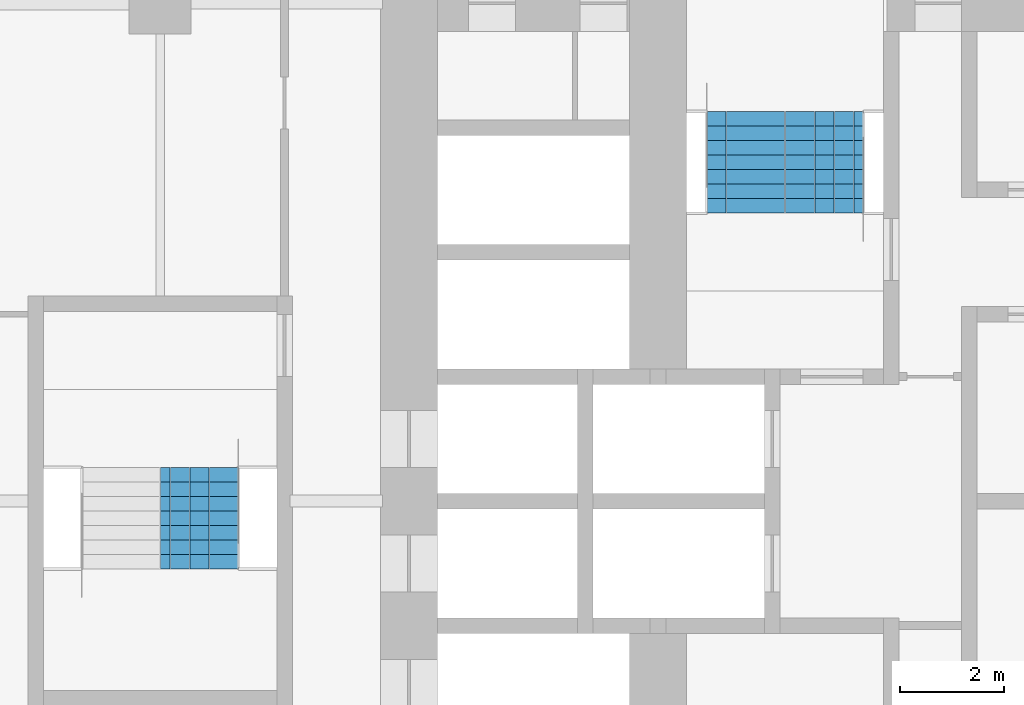
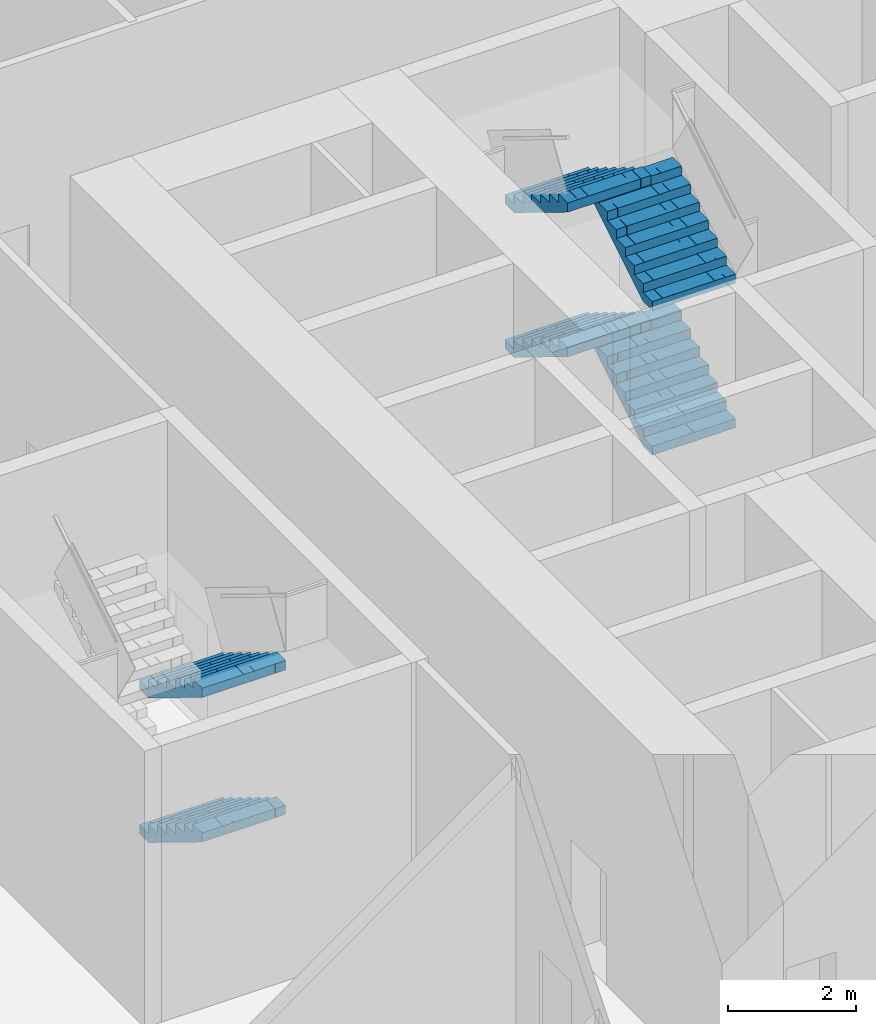
# One storey, part 24 of 27: 6 stair flights, 2 elements without a shape of their own.
"""IFC4 building model written with IfcOpenShell, lengths in metres."""

from ifc_helpers import new_model, si_unit, direction, frame, origin, place, context, subcontext, project, spatial, polyline, outline, extrude, material, type_object, element, aggregate, save


model = new_model("IFC4")

# Units and contexts
model_context = context("Model", 3, precision=1e-05, world=origin(), true_north=direction((0.0, 1.0)))
body_context = subcontext(model_context, "Body", "Model", "MODEL_VIEW")
ifc_project = project(units=[si_unit("LENGTHUNIT", "METRE"), si_unit("AREAUNIT", "SQUARE_METRE"), si_unit("VOLUMEUNIT", "CUBIC_METRE"), si_unit("PLANEANGLEUNIT", "RADIAN"), si_unit("MASSUNIT", "GRAM", prefix="KILO")], contexts=[model_context])

# Site, building, storey
site_placement = place(None, origin())
site = spatial("IfcSite", under=ifc_project, at=site_placement, CompositionType="ELEMENT")
building_placement = place(site_placement, origin())
building = spatial("IfcBuilding", under=site, at=building_placement, Name="Kolab Exchange Tower", CompositionType="ELEMENT")
storey_placement = place(building_placement, frame((0.0, 0.0, 49.89990234375)))
storey = spatial("IfcBuildingStorey", under=building, at=storey_placement, Name="L09", CompositionType="ELEMENT", Elevation=49.89990234375)

# Stair, stair flights
ifc_material = material(Name="Concrete C50/60", Category="concrete")
stair_type_1 = type_object("IfcStairType", Name="STAIR ST1 RISER 171.9", PredefinedType="DOUBLE_RETURN_STAIR", material=ifc_material)
stair_1_placement = place(storey_placement, origin())
stair_1 = element("IfcStair", 1, at=stair_1_placement, inside=storey, type_object=stair_type_1, Name="Stair 1", PredefinedType="DOUBLE_RETURN_STAIR")
stair_flight_type = type_object("IfcStairFlightType", Name="STAIR FLIGHT 1500 RISER 171.9", PredefinedType="STRAIGHT", material=ifc_material)
stair_flight_1_placement = place(storey_placement, frame((-6.389892578125, 5.550048828125, 0.0), z_axis=(0.0, 0.0, 1.0), x_axis=(0.0, 1.0, 0.0)))
stair_flight_1 = element("IfcStairFlight", 2, at=stair_flight_1_placement, type_object=stair_flight_type, Name="ST1 flight 1", NumberOfRisers=8, NumberOfTreads=7, PredefinedType="STRAIGHT", RiserHeight=0.171875, TreadLength=0.28, context=body_context, shape_type="SweptSolid", body=[
    extrude(outline(polyline([(0.0, 0.0), (0.0, 0.171875), (0.280029296875, 0.171875), (0.280029296875, 0.34375), (0.56005859375, 0.34375), (0.56005859375, 0.515625), (0.840087890625, 0.515625), (0.840087890625, 0.6875), (1.1201171875, 0.6875), (1.1201171875, 0.859375), (1.39990234375, 0.859375), (1.39990234375, 1.03125), (1.679931640625, 1.03125), (1.679931640625, 1.203125), (1.9599609375, 1.203125), (1.9599609375, 1.375), (1.9599609375, 1.02734375), (0.28662109375, 0.0), (0.0, 0.0)])), frame((0.0, 0.75, 0.0), z_axis=(0.0, -1.0, 0.0), x_axis=(1.0, 0.0, 0.0)), (0.0, 0.0, 1.0), 0.185791015625),
    extrude(outline(polyline([(0.0, 0.0), (0.0, 0.171875), (0.280029296875, 0.171875), (0.280029296875, 0.34375), (0.56005859375, 0.34375), (0.56005859375, 0.515625), (0.840087890625, 0.515625), (0.840087890625, 0.6875), (1.1201171875, 0.6875), (1.1201171875, 0.859375), (1.39990234375, 0.859375), (1.39990234375, 1.03125), (1.679931640625, 1.03125), (1.679931640625, 1.203125), (1.9599609375, 1.203125), (1.9599609375, 1.375), (1.9599609375, 1.02734375), (0.28662109375, 0.0), (0.0, 0.0)])), frame((0.0, 0.562255859375, 0.0), z_axis=(0.0, -1.0, 0.0), x_axis=(1.0, 0.0, 0.0)), (0.0, 0.0, 1.0), 0.185791015625),
    extrude(outline(polyline([(0.0, 0.0), (0.0, 0.171875), (0.280029296875, 0.171875), (0.280029296875, 0.34375), (0.56005859375, 0.34375), (0.56005859375, 0.515625), (0.840087890625, 0.515625), (0.840087890625, 0.6875), (1.1201171875, 0.6875), (1.1201171875, 0.859375), (1.39990234375, 0.859375), (1.39990234375, 1.03125), (1.679931640625, 1.03125), (1.679931640625, 1.203125), (1.9599609375, 1.203125), (1.9599609375, 1.375), (1.9599609375, 1.02734375), (0.28662109375, 0.0), (0.0, 0.0)])), frame((0.0, 0.37451171875, 0.0), z_axis=(0.0, -1.0, 0.0), x_axis=(1.0, 0.0, 0.0)), (0.0, 0.0, 1.0), 0.185791015625),
    extrude(outline(polyline([(0.0, 0.0), (0.0, 0.171875), (0.280029296875, 0.171875), (0.280029296875, 0.34375), (0.56005859375, 0.34375), (0.56005859375, 0.515625), (0.840087890625, 0.515625), (0.840087890625, 0.6875), (1.1201171875, 0.6875), (1.1201171875, 0.859375), (1.39990234375, 0.859375), (1.39990234375, 1.03125), (1.679931640625, 1.03125), (1.679931640625, 1.203125), (1.9599609375, 1.203125), (1.9599609375, 1.375), (1.9599609375, 1.02734375), (0.28662109375, 0.0), (0.0, 0.0)])), frame((0.0, 0.186767578125, 0.0), z_axis=(0.0, -1.0, 0.0), x_axis=(1.0, 0.0, 0.0)), (0.0, 0.0, 1.0), 0.185791015625),
    extrude(outline(polyline([(0.0, 0.0), (0.0, 0.171875), (0.280029296875, 0.171875), (0.280029296875, 0.34375), (0.56005859375, 0.34375), (0.56005859375, 0.515625), (0.840087890625, 0.515625), (0.840087890625, 0.6875), (1.1201171875, 0.6875), (1.1201171875, 0.859375), (1.39990234375, 0.859375), (1.39990234375, 1.03125), (1.679931640625, 1.03125), (1.679931640625, 1.203125), (1.9599609375, 1.203125), (1.9599609375, 1.375), (1.9599609375, 1.02734375), (0.28662109375, 0.0), (0.0, 0.0)])), frame((0.0, -0.0009765625, 0.0), z_axis=(0.0, -1.0, 0.0), x_axis=(1.0, 0.0, 0.0)), (0.0, 0.0, 1.0), 0.185791015625),
    extrude(outline(polyline([(0.0, 0.0), (0.0, 0.171875), (0.280029296875, 0.171875), (0.280029296875, 0.34375), (0.56005859375, 0.34375), (0.56005859375, 0.515625), (0.840087890625, 0.515625), (0.840087890625, 0.6875), (1.1201171875, 0.6875), (1.1201171875, 0.859375), (1.39990234375, 0.859375), (1.39990234375, 1.03125), (1.679931640625, 1.03125), (1.679931640625, 1.203125), (1.9599609375, 1.203125), (1.9599609375, 1.375), (1.9599609375, 1.02734375), (0.28662109375, 0.0), (0.0, 0.0)])), frame((0.0, -0.188720703125, 0.0), z_axis=(0.0, -1.0, 0.0), x_axis=(1.0, 0.0, 0.0)), (0.0, 0.0, 1.0), 0.185791015625),
    extrude(outline(polyline([(0.0, 0.0), (0.0, 0.171875), (0.280029296875, 0.171875), (0.280029296875, 0.34375), (0.56005859375, 0.34375), (0.56005859375, 0.515625), (0.840087890625, 0.515625), (0.840087890625, 0.6875), (1.1201171875, 0.6875), (1.1201171875, 0.859375), (1.39990234375, 0.859375), (1.39990234375, 1.03125), (1.679931640625, 1.03125), (1.679931640625, 1.203125), (1.9599609375, 1.203125), (1.9599609375, 1.375), (1.9599609375, 1.02734375), (0.28662109375, 0.0), (0.0, 0.0)])), frame((0.0, -0.37646484375, 0.0), z_axis=(0.0, -1.0, 0.0), x_axis=(1.0, 0.0, 0.0)), (0.0, 0.0, 1.0), 0.185791015625),
    extrude(outline(polyline([(0.0, 0.0), (0.0, 0.171875), (0.280029296875, 0.171875), (0.280029296875, 0.34375), (0.56005859375, 0.34375), (0.56005859375, 0.515625), (0.840087890625, 0.515625), (0.840087890625, 0.6875), (1.1201171875, 0.6875), (1.1201171875, 0.859375), (1.39990234375, 0.859375), (1.39990234375, 1.03125), (1.679931640625, 1.03125), (1.679931640625, 1.203125), (1.9599609375, 1.203125), (1.9599609375, 1.375), (1.9599609375, 1.02734375), (0.28662109375, 0.0), (0.0, 0.0)])), frame((0.0, -0.564208984375, 0.0), z_axis=(0.0, -1.0, 0.0), x_axis=(1.0, 0.0, 0.0)), (0.0, 0.0, 1.0), 0.185791015625),
])
stair_flight_2_placement = place(storey_placement, frame((-7.909912109375, 7.510009765625, 1.375), z_axis=(0.0, 0.0, 1.0), x_axis=(0.0, -1.0, 0.0)))
stair_flight_2 = element("IfcStairFlight", 3, at=stair_flight_2_placement, type_object=stair_flight_type, Name="ST1 flight 2", NumberOfRisers=8, NumberOfTreads=7, PredefinedType="STRAIGHT", RiserHeight=0.171875, TreadLength=0.28, context=body_context, shape_type="SweptSolid", body=[
    extrude(outline(polyline([(0.0, 0.0), (0.0, 0.171875), (0.280029296875, 0.171875), (0.280029296875, 0.34375), (0.56005859375, 0.34375), (0.56005859375, 0.515625), (0.840087890625, 0.515625), (0.840087890625, 0.6875), (1.1201171875, 0.6875), (1.1201171875, 0.859375), (1.39990234375, 0.859375), (1.39990234375, 1.03125), (1.679931640625, 1.03125), (1.679931640625, 1.203125), (1.9599609375, 1.203125), (1.9599609375, 1.375), (1.9599609375, 1.02734375), (0.28662109375, 0.0), (0.0, 0.0)])), frame((0.0, 0.75, 0.0), z_axis=(0.0, -1.0, 0.0), x_axis=(1.0, 0.0, 0.0)), (0.0, 0.0, 1.0), 0.185791015625),
    extrude(outline(polyline([(0.0, 0.0), (0.0, 0.171875), (0.280029296875, 0.171875), (0.280029296875, 0.34375), (0.56005859375, 0.34375), (0.56005859375, 0.515625), (0.840087890625, 0.515625), (0.840087890625, 0.6875), (1.1201171875, 0.6875), (1.1201171875, 0.859375), (1.39990234375, 0.859375), (1.39990234375, 1.03125), (1.679931640625, 1.03125), (1.679931640625, 1.203125), (1.9599609375, 1.203125), (1.9599609375, 1.375), (1.9599609375, 1.02734375), (0.28662109375, 0.0), (0.0, 0.0)])), frame((0.0, 0.562255859375, 0.0), z_axis=(0.0, -1.0, 0.0), x_axis=(1.0, 0.0, 0.0)), (0.0, 0.0, 1.0), 0.185791015625),
    extrude(outline(polyline([(0.0, 0.0), (0.0, 0.171875), (0.280029296875, 0.171875), (0.280029296875, 0.34375), (0.56005859375, 0.34375), (0.56005859375, 0.515625), (0.840087890625, 0.515625), (0.840087890625, 0.6875), (1.1201171875, 0.6875), (1.1201171875, 0.859375), (1.39990234375, 0.859375), (1.39990234375, 1.03125), (1.679931640625, 1.03125), (1.679931640625, 1.203125), (1.9599609375, 1.203125), (1.9599609375, 1.375), (1.9599609375, 1.02734375), (0.28662109375, 0.0), (0.0, 0.0)])), frame((0.0, 0.37451171875, 0.0), z_axis=(0.0, -1.0, 0.0), x_axis=(1.0, 0.0, 0.0)), (0.0, 0.0, 1.0), 0.185791015625),
    extrude(outline(polyline([(0.0, 0.0), (0.0, 0.171875), (0.280029296875, 0.171875), (0.280029296875, 0.34375), (0.56005859375, 0.34375), (0.56005859375, 0.515625), (0.840087890625, 0.515625), (0.840087890625, 0.6875), (1.1201171875, 0.6875), (1.1201171875, 0.859375), (1.39990234375, 0.859375), (1.39990234375, 1.03125), (1.679931640625, 1.03125), (1.679931640625, 1.203125), (1.9599609375, 1.203125), (1.9599609375, 1.375), (1.9599609375, 1.02734375), (0.28662109375, 0.0), (0.0, 0.0)])), frame((0.0, 0.186767578125, 0.0), z_axis=(0.0, -1.0, 0.0), x_axis=(1.0, 0.0, 0.0)), (0.0, 0.0, 1.0), 0.185791015625),
    extrude(outline(polyline([(0.0, 0.0), (0.0, 0.171875), (0.280029296875, 0.171875), (0.280029296875, 0.34375), (0.56005859375, 0.34375), (0.56005859375, 0.515625), (0.840087890625, 0.515625), (0.840087890625, 0.6875), (1.1201171875, 0.6875), (1.1201171875, 0.859375), (1.39990234375, 0.859375), (1.39990234375, 1.03125), (1.679931640625, 1.03125), (1.679931640625, 1.203125), (1.9599609375, 1.203125), (1.9599609375, 1.375), (1.9599609375, 1.02734375), (0.28662109375, 0.0), (0.0, 0.0)])), frame((0.0, -0.0009765625, 0.0), z_axis=(0.0, -1.0, 0.0), x_axis=(1.0, 0.0, 0.0)), (0.0, 0.0, 1.0), 0.185791015625),
    extrude(outline(polyline([(0.0, 0.0), (0.0, 0.171875), (0.280029296875, 0.171875), (0.280029296875, 0.34375), (0.56005859375, 0.34375), (0.56005859375, 0.515625), (0.840087890625, 0.515625), (0.840087890625, 0.6875), (1.1201171875, 0.6875), (1.1201171875, 0.859375), (1.39990234375, 0.859375), (1.39990234375, 1.03125), (1.679931640625, 1.03125), (1.679931640625, 1.203125), (1.9599609375, 1.203125), (1.9599609375, 1.375), (1.9599609375, 1.02734375), (0.28662109375, 0.0), (0.0, 0.0)])), frame((0.0, -0.188720703125, 0.0), z_axis=(0.0, -1.0, 0.0), x_axis=(1.0, 0.0, 0.0)), (0.0, 0.0, 1.0), 0.185791015625),
    extrude(outline(polyline([(0.0, 0.0), (0.0, 0.171875), (0.280029296875, 0.171875), (0.280029296875, 0.34375), (0.56005859375, 0.34375), (0.56005859375, 0.515625), (0.840087890625, 0.515625), (0.840087890625, 0.6875), (1.1201171875, 0.6875), (1.1201171875, 0.859375), (1.39990234375, 0.859375), (1.39990234375, 1.03125), (1.679931640625, 1.03125), (1.679931640625, 1.203125), (1.9599609375, 1.203125), (1.9599609375, 1.375), (1.9599609375, 1.02734375), (0.28662109375, 0.0), (0.0, 0.0)])), frame((0.0, -0.37646484375, 0.0), z_axis=(0.0, -1.0, 0.0), x_axis=(1.0, 0.0, 0.0)), (0.0, 0.0, 1.0), 0.185791015625),
    extrude(outline(polyline([(0.0, 0.0), (0.0, 0.171875), (0.280029296875, 0.171875), (0.280029296875, 0.34375), (0.56005859375, 0.34375), (0.56005859375, 0.515625), (0.840087890625, 0.515625), (0.840087890625, 0.6875), (1.1201171875, 0.6875), (1.1201171875, 0.859375), (1.39990234375, 0.859375), (1.39990234375, 1.03125), (1.679931640625, 1.03125), (1.679931640625, 1.203125), (1.9599609375, 1.203125), (1.9599609375, 1.375), (1.9599609375, 1.02734375), (0.28662109375, 0.0), (0.0, 0.0)])), frame((0.0, -0.564208984375, 0.0), z_axis=(0.0, -1.0, 0.0), x_axis=(1.0, 0.0, 0.0)), (0.0, 0.0, 1.0), 0.185791015625),
])
stair_flight_3_placement = place(storey_placement, frame((-6.389892578125, 5.550048828125, 2.75), z_axis=(0.0, 0.0, 1.0), x_axis=(0.0, 1.0, 0.0)))
stair_flight_3 = element("IfcStairFlight", 4, at=stair_flight_3_placement, type_object=stair_flight_type, Name="ST1 flight 3", NumberOfRisers=8, NumberOfTreads=7, PredefinedType="STRAIGHT", RiserHeight=0.171875, TreadLength=0.28, context=body_context, shape_type="SweptSolid", body=[
    extrude(outline(polyline([(0.0, 0.0), (0.0, 0.171875), (0.280029296875, 0.171875), (0.280029296875, 0.34375), (0.56005859375, 0.34375), (0.56005859375, 0.515625), (0.840087890625, 0.515625), (0.840087890625, 0.6875), (1.1201171875, 0.6875), (1.1201171875, 0.859375), (1.39990234375, 0.859375), (1.39990234375, 1.03125), (1.679931640625, 1.03125), (1.679931640625, 1.203125), (1.9599609375, 1.203125), (1.9599609375, 1.375), (1.9599609375, 1.02734375), (0.28662109375, 0.0), (0.0, 0.0)])), frame((0.0, 0.75, 0.0), z_axis=(0.0, -1.0, 0.0), x_axis=(1.0, 0.0, 0.0)), (0.0, 0.0, 1.0), 0.185791015625),
    extrude(outline(polyline([(0.0, 0.0), (0.0, 0.171875), (0.280029296875, 0.171875), (0.280029296875, 0.34375), (0.56005859375, 0.34375), (0.56005859375, 0.515625), (0.840087890625, 0.515625), (0.840087890625, 0.6875), (1.1201171875, 0.6875), (1.1201171875, 0.859375), (1.39990234375, 0.859375), (1.39990234375, 1.03125), (1.679931640625, 1.03125), (1.679931640625, 1.203125), (1.9599609375, 1.203125), (1.9599609375, 1.375), (1.9599609375, 1.02734375), (0.28662109375, 0.0), (0.0, 0.0)])), frame((0.0, 0.562255859375, 0.0), z_axis=(0.0, -1.0, 0.0), x_axis=(1.0, 0.0, 0.0)), (0.0, 0.0, 1.0), 0.185791015625),
    extrude(outline(polyline([(0.0, 0.0), (0.0, 0.171875), (0.280029296875, 0.171875), (0.280029296875, 0.34375), (0.56005859375, 0.34375), (0.56005859375, 0.515625), (0.840087890625, 0.515625), (0.840087890625, 0.6875), (1.1201171875, 0.6875), (1.1201171875, 0.859375), (1.39990234375, 0.859375), (1.39990234375, 1.03125), (1.679931640625, 1.03125), (1.679931640625, 1.203125), (1.9599609375, 1.203125), (1.9599609375, 1.375), (1.9599609375, 1.02734375), (0.28662109375, 0.0), (0.0, 0.0)])), frame((0.0, 0.37451171875, 0.0), z_axis=(0.0, -1.0, 0.0), x_axis=(1.0, 0.0, 0.0)), (0.0, 0.0, 1.0), 0.185791015625),
    extrude(outline(polyline([(0.0, 0.0), (0.0, 0.171875), (0.280029296875, 0.171875), (0.280029296875, 0.34375), (0.56005859375, 0.34375), (0.56005859375, 0.515625), (0.840087890625, 0.515625), (0.840087890625, 0.6875), (1.1201171875, 0.6875), (1.1201171875, 0.859375), (1.39990234375, 0.859375), (1.39990234375, 1.03125), (1.679931640625, 1.03125), (1.679931640625, 1.203125), (1.9599609375, 1.203125), (1.9599609375, 1.375), (1.9599609375, 1.02734375), (0.28662109375, 0.0), (0.0, 0.0)])), frame((0.0, 0.186767578125, 0.0), z_axis=(0.0, -1.0, 0.0), x_axis=(1.0, 0.0, 0.0)), (0.0, 0.0, 1.0), 0.185791015625),
    extrude(outline(polyline([(0.0, 0.0), (0.0, 0.171875), (0.280029296875, 0.171875), (0.280029296875, 0.34375), (0.56005859375, 0.34375), (0.56005859375, 0.515625), (0.840087890625, 0.515625), (0.840087890625, 0.6875), (1.1201171875, 0.6875), (1.1201171875, 0.859375), (1.39990234375, 0.859375), (1.39990234375, 1.03125), (1.679931640625, 1.03125), (1.679931640625, 1.203125), (1.9599609375, 1.203125), (1.9599609375, 1.375), (1.9599609375, 1.02734375), (0.28662109375, 0.0), (0.0, 0.0)])), frame((0.0, -0.0009765625, 0.0), z_axis=(0.0, -1.0, 0.0), x_axis=(1.0, 0.0, 0.0)), (0.0, 0.0, 1.0), 0.185791015625),
    extrude(outline(polyline([(0.0, 0.0), (0.0, 0.171875), (0.280029296875, 0.171875), (0.280029296875, 0.34375), (0.56005859375, 0.34375), (0.56005859375, 0.515625), (0.840087890625, 0.515625), (0.840087890625, 0.6875), (1.1201171875, 0.6875), (1.1201171875, 0.859375), (1.39990234375, 0.859375), (1.39990234375, 1.03125), (1.679931640625, 1.03125), (1.679931640625, 1.203125), (1.9599609375, 1.203125), (1.9599609375, 1.375), (1.9599609375, 1.02734375), (0.28662109375, 0.0), (0.0, 0.0)])), frame((0.0, -0.188720703125, 0.0), z_axis=(0.0, -1.0, 0.0), x_axis=(1.0, 0.0, 0.0)), (0.0, 0.0, 1.0), 0.185791015625),
    extrude(outline(polyline([(0.0, 0.0), (0.0, 0.171875), (0.280029296875, 0.171875), (0.280029296875, 0.34375), (0.56005859375, 0.34375), (0.56005859375, 0.515625), (0.840087890625, 0.515625), (0.840087890625, 0.6875), (1.1201171875, 0.6875), (1.1201171875, 0.859375), (1.39990234375, 0.859375), (1.39990234375, 1.03125), (1.679931640625, 1.03125), (1.679931640625, 1.203125), (1.9599609375, 1.203125), (1.9599609375, 1.375), (1.9599609375, 1.02734375), (0.28662109375, 0.0), (0.0, 0.0)])), frame((0.0, -0.37646484375, 0.0), z_axis=(0.0, -1.0, 0.0), x_axis=(1.0, 0.0, 0.0)), (0.0, 0.0, 1.0), 0.185791015625),
    extrude(outline(polyline([(0.0, 0.0), (0.0, 0.171875), (0.280029296875, 0.171875), (0.280029296875, 0.34375), (0.56005859375, 0.34375), (0.56005859375, 0.515625), (0.840087890625, 0.515625), (0.840087890625, 0.6875), (1.1201171875, 0.6875), (1.1201171875, 0.859375), (1.39990234375, 0.859375), (1.39990234375, 1.03125), (1.679931640625, 1.03125), (1.679931640625, 1.203125), (1.9599609375, 1.203125), (1.9599609375, 1.375), (1.9599609375, 1.02734375), (0.28662109375, 0.0), (0.0, 0.0)])), frame((0.0, -0.564208984375, 0.0), z_axis=(0.0, -1.0, 0.0), x_axis=(1.0, 0.0, 0.0)), (0.0, 0.0, 1.0), 0.185791015625),
])
stair_flight_4_placement = place(storey_placement, frame((-7.909912109375, 7.510009765625, 4.125), z_axis=(0.0, 0.0, 1.0), x_axis=(0.0, -1.0, 0.0)))
stair_flight_4 = element("IfcStairFlight", 5, at=stair_flight_4_placement, type_object=stair_flight_type, Name="ST1 flight 4", NumberOfRisers=8, NumberOfTreads=7, PredefinedType="STRAIGHT", RiserHeight=0.171875, TreadLength=0.28, context=body_context, shape_type="SweptSolid", body=[
    extrude(outline(polyline([(0.0, 0.0), (0.0, 0.171875), (0.280029296875, 0.171875), (0.280029296875, 0.34375), (0.56005859375, 0.34375), (0.56005859375, 0.515625), (0.840087890625, 0.515625), (0.840087890625, 0.6875), (1.1201171875, 0.6875), (1.1201171875, 0.859375), (1.39990234375, 0.859375), (1.39990234375, 1.03125), (1.679931640625, 1.03125), (1.679931640625, 1.203125), (1.9599609375, 1.203125), (1.9599609375, 1.375), (1.9599609375, 1.02734375), (0.28662109375, 0.0), (0.0, 0.0)])), frame((0.0, 0.75, 0.0), z_axis=(0.0, -1.0, 0.0), x_axis=(1.0, 0.0, 0.0)), (0.0, 0.0, 1.0), 0.185791015625),
    extrude(outline(polyline([(0.0, 0.0), (0.0, 0.171875), (0.280029296875, 0.171875), (0.280029296875, 0.34375), (0.56005859375, 0.34375), (0.56005859375, 0.515625), (0.840087890625, 0.515625), (0.840087890625, 0.6875), (1.1201171875, 0.6875), (1.1201171875, 0.859375), (1.39990234375, 0.859375), (1.39990234375, 1.03125), (1.679931640625, 1.03125), (1.679931640625, 1.203125), (1.9599609375, 1.203125), (1.9599609375, 1.375), (1.9599609375, 1.02734375), (0.28662109375, 0.0), (0.0, 0.0)])), frame((0.0, 0.562255859375, 0.0), z_axis=(0.0, -1.0, 0.0), x_axis=(1.0, 0.0, 0.0)), (0.0, 0.0, 1.0), 0.185791015625),
    extrude(outline(polyline([(0.0, 0.0), (0.0, 0.171875), (0.280029296875, 0.171875), (0.280029296875, 0.34375), (0.56005859375, 0.34375), (0.56005859375, 0.515625), (0.840087890625, 0.515625), (0.840087890625, 0.6875), (1.1201171875, 0.6875), (1.1201171875, 0.859375), (1.39990234375, 0.859375), (1.39990234375, 1.03125), (1.679931640625, 1.03125), (1.679931640625, 1.203125), (1.9599609375, 1.203125), (1.9599609375, 1.375), (1.9599609375, 1.02734375), (0.28662109375, 0.0), (0.0, 0.0)])), frame((0.0, 0.37451171875, 0.0), z_axis=(0.0, -1.0, 0.0), x_axis=(1.0, 0.0, 0.0)), (0.0, 0.0, 1.0), 0.185791015625),
    extrude(outline(polyline([(0.0, 0.0), (0.0, 0.171875), (0.280029296875, 0.171875), (0.280029296875, 0.34375), (0.56005859375, 0.34375), (0.56005859375, 0.515625), (0.840087890625, 0.515625), (0.840087890625, 0.6875), (1.1201171875, 0.6875), (1.1201171875, 0.859375), (1.39990234375, 0.859375), (1.39990234375, 1.03125), (1.679931640625, 1.03125), (1.679931640625, 1.203125), (1.9599609375, 1.203125), (1.9599609375, 1.375), (1.9599609375, 1.02734375), (0.28662109375, 0.0), (0.0, 0.0)])), frame((0.0, 0.186767578125, 0.0), z_axis=(0.0, -1.0, 0.0), x_axis=(1.0, 0.0, 0.0)), (0.0, 0.0, 1.0), 0.185791015625),
    extrude(outline(polyline([(0.0, 0.0), (0.0, 0.171875), (0.280029296875, 0.171875), (0.280029296875, 0.34375), (0.56005859375, 0.34375), (0.56005859375, 0.515625), (0.840087890625, 0.515625), (0.840087890625, 0.6875), (1.1201171875, 0.6875), (1.1201171875, 0.859375), (1.39990234375, 0.859375), (1.39990234375, 1.03125), (1.679931640625, 1.03125), (1.679931640625, 1.203125), (1.9599609375, 1.203125), (1.9599609375, 1.375), (1.9599609375, 1.02734375), (0.28662109375, 0.0), (0.0, 0.0)])), frame((0.0, -0.0009765625, 0.0), z_axis=(0.0, -1.0, 0.0), x_axis=(1.0, 0.0, 0.0)), (0.0, 0.0, 1.0), 0.185791015625),
    extrude(outline(polyline([(0.0, 0.0), (0.0, 0.171875), (0.280029296875, 0.171875), (0.280029296875, 0.34375), (0.56005859375, 0.34375), (0.56005859375, 0.515625), (0.840087890625, 0.515625), (0.840087890625, 0.6875), (1.1201171875, 0.6875), (1.1201171875, 0.859375), (1.39990234375, 0.859375), (1.39990234375, 1.03125), (1.679931640625, 1.03125), (1.679931640625, 1.203125), (1.9599609375, 1.203125), (1.9599609375, 1.375), (1.9599609375, 1.02734375), (0.28662109375, 0.0), (0.0, 0.0)])), frame((0.0, -0.188720703125, 0.0), z_axis=(0.0, -1.0, 0.0), x_axis=(1.0, 0.0, 0.0)), (0.0, 0.0, 1.0), 0.185791015625),
    extrude(outline(polyline([(0.0, 0.0), (0.0, 0.171875), (0.280029296875, 0.171875), (0.280029296875, 0.34375), (0.56005859375, 0.34375), (0.56005859375, 0.515625), (0.840087890625, 0.515625), (0.840087890625, 0.6875), (1.1201171875, 0.6875), (1.1201171875, 0.859375), (1.39990234375, 0.859375), (1.39990234375, 1.03125), (1.679931640625, 1.03125), (1.679931640625, 1.203125), (1.9599609375, 1.203125), (1.9599609375, 1.375), (1.9599609375, 1.02734375), (0.28662109375, 0.0), (0.0, 0.0)])), frame((0.0, -0.37646484375, 0.0), z_axis=(0.0, -1.0, 0.0), x_axis=(1.0, 0.0, 0.0)), (0.0, 0.0, 1.0), 0.185791015625),
    extrude(outline(polyline([(0.0, 0.0), (0.0, 0.171875), (0.280029296875, 0.171875), (0.280029296875, 0.34375), (0.56005859375, 0.34375), (0.56005859375, 0.515625), (0.840087890625, 0.515625), (0.840087890625, 0.6875), (1.1201171875, 0.6875), (1.1201171875, 0.859375), (1.39990234375, 0.859375), (1.39990234375, 1.03125), (1.679931640625, 1.03125), (1.679931640625, 1.203125), (1.9599609375, 1.203125), (1.9599609375, 1.375), (1.9599609375, 1.02734375), (0.28662109375, 0.0), (0.0, 0.0)])), frame((0.0, -0.564208984375, 0.0), z_axis=(0.0, -1.0, 0.0), x_axis=(1.0, 0.0, 0.0)), (0.0, 0.0, 1.0), 0.185791015625),
])
aggregate(stair_1, [stair_flight_1, stair_flight_2, stair_flight_3, stair_flight_4])

stair_type_2 = type_object("IfcStairType", Name="STAIR ST5 RISER 171.9", PredefinedType="DOUBLE_RETURN_STAIR", material=ifc_material)
stair_2_placement = place(storey_placement, origin())
stair_2 = element("IfcStair", 6, at=stair_2_placement, inside=storey, type_object=stair_type_2, Name="Stair 5", PredefinedType="DOUBLE_RETURN_STAIR")
stair_flight_5_placement = place(storey_placement, frame((-18.43994140625, 0.64990234375, 0.0), z_axis=(0.0, 0.0, 1.0), x_axis=(0.0, -1.0, 0.0)))
stair_flight_5 = element("IfcStairFlight", 7, at=stair_flight_5_placement, type_object=stair_flight_type, Name="ST5 flight 1", NumberOfRisers=8, NumberOfTreads=7, PredefinedType="STRAIGHT", RiserHeight=0.171875, TreadLength=0.28, context=body_context, shape_type="SweptSolid", body=[
    extrude(outline(polyline([(0.0, 0.0), (0.0, 0.171875), (0.280029296875, 0.171875), (0.280029296875, 0.34375), (0.56005859375, 0.34375), (0.56005859375, 0.515625), (0.840087890625, 0.515625), (0.840087890625, 0.6875), (1.1201171875, 0.6875), (1.1201171875, 0.859375), (1.39990234375, 0.859375), (1.39990234375, 1.03125), (1.679931640625, 1.03125), (1.679931640625, 1.203125), (1.9599609375, 1.203125), (1.9599609375, 1.375), (1.9599609375, 1.02734375), (0.28662109375, 0.0), (0.0, 0.0)])), frame((0.0, 0.75, 0.0), z_axis=(0.0, -1.0, 0.0), x_axis=(1.0, 0.0, 0.0)), (0.0, 0.0, 1.0), 0.185791015625),
    extrude(outline(polyline([(0.0, 0.0), (0.0, 0.171875), (0.280029296875, 0.171875), (0.280029296875, 0.34375), (0.56005859375, 0.34375), (0.56005859375, 0.515625), (0.840087890625, 0.515625), (0.840087890625, 0.6875), (1.1201171875, 0.6875), (1.1201171875, 0.859375), (1.39990234375, 0.859375), (1.39990234375, 1.03125), (1.679931640625, 1.03125), (1.679931640625, 1.203125), (1.9599609375, 1.203125), (1.9599609375, 1.375), (1.9599609375, 1.02734375), (0.28662109375, 0.0), (0.0, 0.0)])), frame((0.0, 0.562255859375, 0.0), z_axis=(0.0, -1.0, 0.0), x_axis=(1.0, 0.0, 0.0)), (0.0, 0.0, 1.0), 0.185791015625),
    extrude(outline(polyline([(0.0, 0.0), (0.0, 0.171875), (0.280029296875, 0.171875), (0.280029296875, 0.34375), (0.56005859375, 0.34375), (0.56005859375, 0.515625), (0.840087890625, 0.515625), (0.840087890625, 0.6875), (1.1201171875, 0.6875), (1.1201171875, 0.859375), (1.39990234375, 0.859375), (1.39990234375, 1.03125), (1.679931640625, 1.03125), (1.679931640625, 1.203125), (1.9599609375, 1.203125), (1.9599609375, 1.375), (1.9599609375, 1.02734375), (0.28662109375, 0.0), (0.0, 0.0)])), frame((0.0, 0.37451171875, 0.0), z_axis=(0.0, -1.0, 0.0), x_axis=(1.0, 0.0, 0.0)), (0.0, 0.0, 1.0), 0.185791015625),
    extrude(outline(polyline([(0.0, 0.0), (0.0, 0.171875), (0.280029296875, 0.171875), (0.280029296875, 0.34375), (0.56005859375, 0.34375), (0.56005859375, 0.515625), (0.840087890625, 0.515625), (0.840087890625, 0.6875), (1.1201171875, 0.6875), (1.1201171875, 0.859375), (1.39990234375, 0.859375), (1.39990234375, 1.03125), (1.679931640625, 1.03125), (1.679931640625, 1.203125), (1.9599609375, 1.203125), (1.9599609375, 1.375), (1.9599609375, 1.02734375), (0.28662109375, 0.0), (0.0, 0.0)])), frame((0.0, 0.186767578125, 0.0), z_axis=(0.0, -1.0, 0.0), x_axis=(1.0, 0.0, 0.0)), (0.0, 0.0, 1.0), 0.185791015625),
    extrude(outline(polyline([(0.0, 0.0), (0.0, 0.171875), (0.280029296875, 0.171875), (0.280029296875, 0.34375), (0.56005859375, 0.34375), (0.56005859375, 0.515625), (0.840087890625, 0.515625), (0.840087890625, 0.6875), (1.1201171875, 0.6875), (1.1201171875, 0.859375), (1.39990234375, 0.859375), (1.39990234375, 1.03125), (1.679931640625, 1.03125), (1.679931640625, 1.203125), (1.9599609375, 1.203125), (1.9599609375, 1.375), (1.9599609375, 1.02734375), (0.28662109375, 0.0), (0.0, 0.0)])), frame((0.0, -0.0009765625, 0.0), z_axis=(0.0, -1.0, 0.0), x_axis=(1.0, 0.0, 0.0)), (0.0, 0.0, 1.0), 0.185791015625),
    extrude(outline(polyline([(0.0, 0.0), (0.0, 0.171875), (0.280029296875, 0.171875), (0.280029296875, 0.34375), (0.56005859375, 0.34375), (0.56005859375, 0.515625), (0.840087890625, 0.515625), (0.840087890625, 0.6875), (1.1201171875, 0.6875), (1.1201171875, 0.859375), (1.39990234375, 0.859375), (1.39990234375, 1.03125), (1.679931640625, 1.03125), (1.679931640625, 1.203125), (1.9599609375, 1.203125), (1.9599609375, 1.375), (1.9599609375, 1.02734375), (0.28662109375, 0.0), (0.0, 0.0)])), frame((0.0, -0.188720703125, 0.0), z_axis=(0.0, -1.0, 0.0), x_axis=(1.0, 0.0, 0.0)), (0.0, 0.0, 1.0), 0.185791015625),
    extrude(outline(polyline([(0.0, 0.0), (0.0, 0.171875), (0.280029296875, 0.171875), (0.280029296875, 0.34375), (0.56005859375, 0.34375), (0.56005859375, 0.515625), (0.840087890625, 0.515625), (0.840087890625, 0.6875), (1.1201171875, 0.6875), (1.1201171875, 0.859375), (1.39990234375, 0.859375), (1.39990234375, 1.03125), (1.679931640625, 1.03125), (1.679931640625, 1.203125), (1.9599609375, 1.203125), (1.9599609375, 1.375), (1.9599609375, 1.02734375), (0.28662109375, 0.0), (0.0, 0.0)])), frame((0.0, -0.37646484375, 0.0), z_axis=(0.0, -1.0, 0.0), x_axis=(1.0, 0.0, 0.0)), (0.0, 0.0, 1.0), 0.185791015625),
    extrude(outline(polyline([(0.0, 0.0), (0.0, 0.171875), (0.280029296875, 0.171875), (0.280029296875, 0.34375), (0.56005859375, 0.34375), (0.56005859375, 0.515625), (0.840087890625, 0.515625), (0.840087890625, 0.6875), (1.1201171875, 0.6875), (1.1201171875, 0.859375), (1.39990234375, 0.859375), (1.39990234375, 1.03125), (1.679931640625, 1.03125), (1.679931640625, 1.203125), (1.9599609375, 1.203125), (1.9599609375, 1.375), (1.9599609375, 1.02734375), (0.28662109375, 0.0), (0.0, 0.0)])), frame((0.0, -0.564208984375, 0.0), z_axis=(0.0, -1.0, 0.0), x_axis=(1.0, 0.0, 0.0)), (0.0, 0.0, 1.0), 0.185791015625),
])
stair_flight_6_placement = place(storey_placement, frame((-18.43994140625, 0.64990234375, 2.75), z_axis=(0.0, 0.0, 1.0), x_axis=(0.0, -1.0, 0.0)))
stair_flight_6 = element("IfcStairFlight", 8, at=stair_flight_6_placement, type_object=stair_flight_type, Name="ST5 flight 3", NumberOfRisers=8, NumberOfTreads=7, PredefinedType="STRAIGHT", RiserHeight=0.171875, TreadLength=0.28, context=body_context, shape_type="SweptSolid", body=[
    extrude(outline(polyline([(0.0, 0.0), (0.0, 0.171875), (0.280029296875, 0.171875), (0.280029296875, 0.34375), (0.56005859375, 0.34375), (0.56005859375, 0.515625), (0.840087890625, 0.515625), (0.840087890625, 0.6875), (1.1201171875, 0.6875), (1.1201171875, 0.859375), (1.39990234375, 0.859375), (1.39990234375, 1.03125), (1.679931640625, 1.03125), (1.679931640625, 1.203125), (1.9599609375, 1.203125), (1.9599609375, 1.375), (1.9599609375, 1.02734375), (0.28662109375, 0.0), (0.0, 0.0)])), frame((0.0, 0.75, 0.0), z_axis=(0.0, -1.0, 0.0), x_axis=(1.0, 0.0, 0.0)), (0.0, 0.0, 1.0), 0.185791015625),
    extrude(outline(polyline([(0.0, 0.0), (0.0, 0.171875), (0.280029296875, 0.171875), (0.280029296875, 0.34375), (0.56005859375, 0.34375), (0.56005859375, 0.515625), (0.840087890625, 0.515625), (0.840087890625, 0.6875), (1.1201171875, 0.6875), (1.1201171875, 0.859375), (1.39990234375, 0.859375), (1.39990234375, 1.03125), (1.679931640625, 1.03125), (1.679931640625, 1.203125), (1.9599609375, 1.203125), (1.9599609375, 1.375), (1.9599609375, 1.02734375), (0.28662109375, 0.0), (0.0, 0.0)])), frame((0.0, 0.562255859375, 0.0), z_axis=(0.0, -1.0, 0.0), x_axis=(1.0, 0.0, 0.0)), (0.0, 0.0, 1.0), 0.185791015625),
    extrude(outline(polyline([(0.0, 0.0), (0.0, 0.171875), (0.280029296875, 0.171875), (0.280029296875, 0.34375), (0.56005859375, 0.34375), (0.56005859375, 0.515625), (0.840087890625, 0.515625), (0.840087890625, 0.6875), (1.1201171875, 0.6875), (1.1201171875, 0.859375), (1.39990234375, 0.859375), (1.39990234375, 1.03125), (1.679931640625, 1.03125), (1.679931640625, 1.203125), (1.9599609375, 1.203125), (1.9599609375, 1.375), (1.9599609375, 1.02734375), (0.28662109375, 0.0), (0.0, 0.0)])), frame((0.0, 0.37451171875, 0.0), z_axis=(0.0, -1.0, 0.0), x_axis=(1.0, 0.0, 0.0)), (0.0, 0.0, 1.0), 0.185791015625),
    extrude(outline(polyline([(0.0, 0.0), (0.0, 0.171875), (0.280029296875, 0.171875), (0.280029296875, 0.34375), (0.56005859375, 0.34375), (0.56005859375, 0.515625), (0.840087890625, 0.515625), (0.840087890625, 0.6875), (1.1201171875, 0.6875), (1.1201171875, 0.859375), (1.39990234375, 0.859375), (1.39990234375, 1.03125), (1.679931640625, 1.03125), (1.679931640625, 1.203125), (1.9599609375, 1.203125), (1.9599609375, 1.375), (1.9599609375, 1.02734375), (0.28662109375, 0.0), (0.0, 0.0)])), frame((0.0, 0.186767578125, 0.0), z_axis=(0.0, -1.0, 0.0), x_axis=(1.0, 0.0, 0.0)), (0.0, 0.0, 1.0), 0.185791015625),
    extrude(outline(polyline([(0.0, 0.0), (0.0, 0.171875), (0.280029296875, 0.171875), (0.280029296875, 0.34375), (0.56005859375, 0.34375), (0.56005859375, 0.515625), (0.840087890625, 0.515625), (0.840087890625, 0.6875), (1.1201171875, 0.6875), (1.1201171875, 0.859375), (1.39990234375, 0.859375), (1.39990234375, 1.03125), (1.679931640625, 1.03125), (1.679931640625, 1.203125), (1.9599609375, 1.203125), (1.9599609375, 1.375), (1.9599609375, 1.02734375), (0.28662109375, 0.0), (0.0, 0.0)])), frame((0.0, -0.0009765625, 0.0), z_axis=(0.0, -1.0, 0.0), x_axis=(1.0, 0.0, 0.0)), (0.0, 0.0, 1.0), 0.185791015625),
    extrude(outline(polyline([(0.0, 0.0), (0.0, 0.171875), (0.280029296875, 0.171875), (0.280029296875, 0.34375), (0.56005859375, 0.34375), (0.56005859375, 0.515625), (0.840087890625, 0.515625), (0.840087890625, 0.6875), (1.1201171875, 0.6875), (1.1201171875, 0.859375), (1.39990234375, 0.859375), (1.39990234375, 1.03125), (1.679931640625, 1.03125), (1.679931640625, 1.203125), (1.9599609375, 1.203125), (1.9599609375, 1.375), (1.9599609375, 1.02734375), (0.28662109375, 0.0), (0.0, 0.0)])), frame((0.0, -0.188720703125, 0.0), z_axis=(0.0, -1.0, 0.0), x_axis=(1.0, 0.0, 0.0)), (0.0, 0.0, 1.0), 0.185791015625),
    extrude(outline(polyline([(0.0, 0.0), (0.0, 0.171875), (0.280029296875, 0.171875), (0.280029296875, 0.34375), (0.56005859375, 0.34375), (0.56005859375, 0.515625), (0.840087890625, 0.515625), (0.840087890625, 0.6875), (1.1201171875, 0.6875), (1.1201171875, 0.859375), (1.39990234375, 0.859375), (1.39990234375, 1.03125), (1.679931640625, 1.03125), (1.679931640625, 1.203125), (1.9599609375, 1.203125), (1.9599609375, 1.375), (1.9599609375, 1.02734375), (0.28662109375, 0.0), (0.0, 0.0)])), frame((0.0, -0.37646484375, 0.0), z_axis=(0.0, -1.0, 0.0), x_axis=(1.0, 0.0, 0.0)), (0.0, 0.0, 1.0), 0.185791015625),
    extrude(outline(polyline([(0.0, 0.0), (0.0, 0.171875), (0.280029296875, 0.171875), (0.280029296875, 0.34375), (0.56005859375, 0.34375), (0.56005859375, 0.515625), (0.840087890625, 0.515625), (0.840087890625, 0.6875), (1.1201171875, 0.6875), (1.1201171875, 0.859375), (1.39990234375, 0.859375), (1.39990234375, 1.03125), (1.679931640625, 1.03125), (1.679931640625, 1.203125), (1.9599609375, 1.203125), (1.9599609375, 1.375), (1.9599609375, 1.02734375), (0.28662109375, 0.0), (0.0, 0.0)])), frame((0.0, -0.564208984375, 0.0), z_axis=(0.0, -1.0, 0.0), x_axis=(1.0, 0.0, 0.0)), (0.0, 0.0, 1.0), 0.185791015625),
])
aggregate(stair_2, [stair_flight_5, stair_flight_6])

save(model, "model.ifc")
